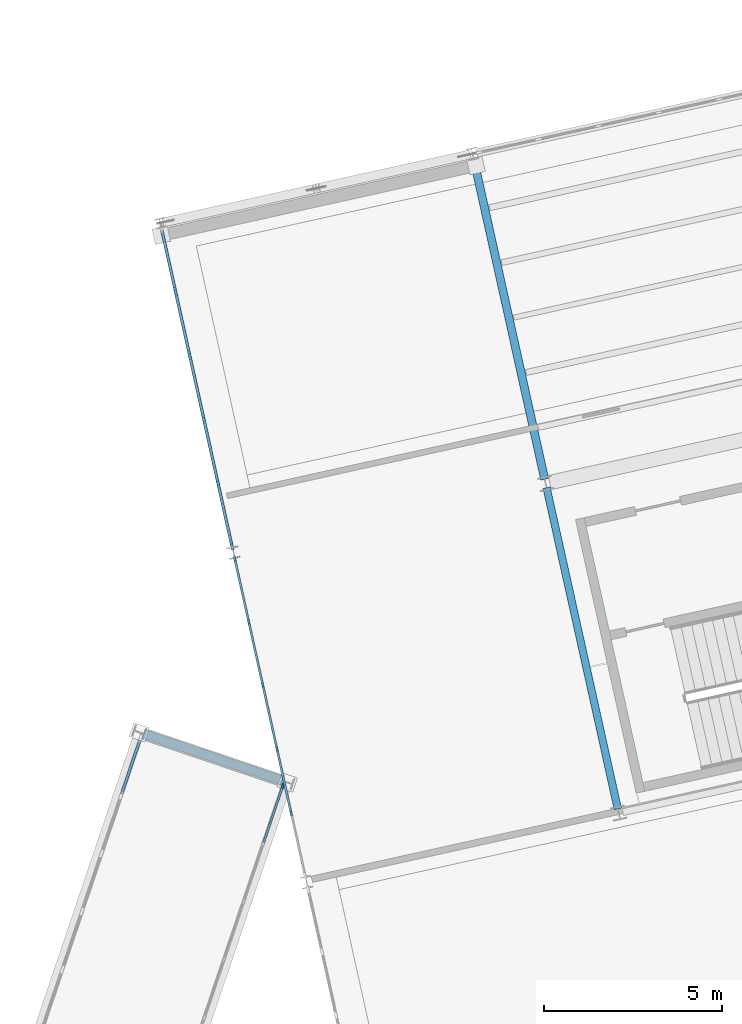
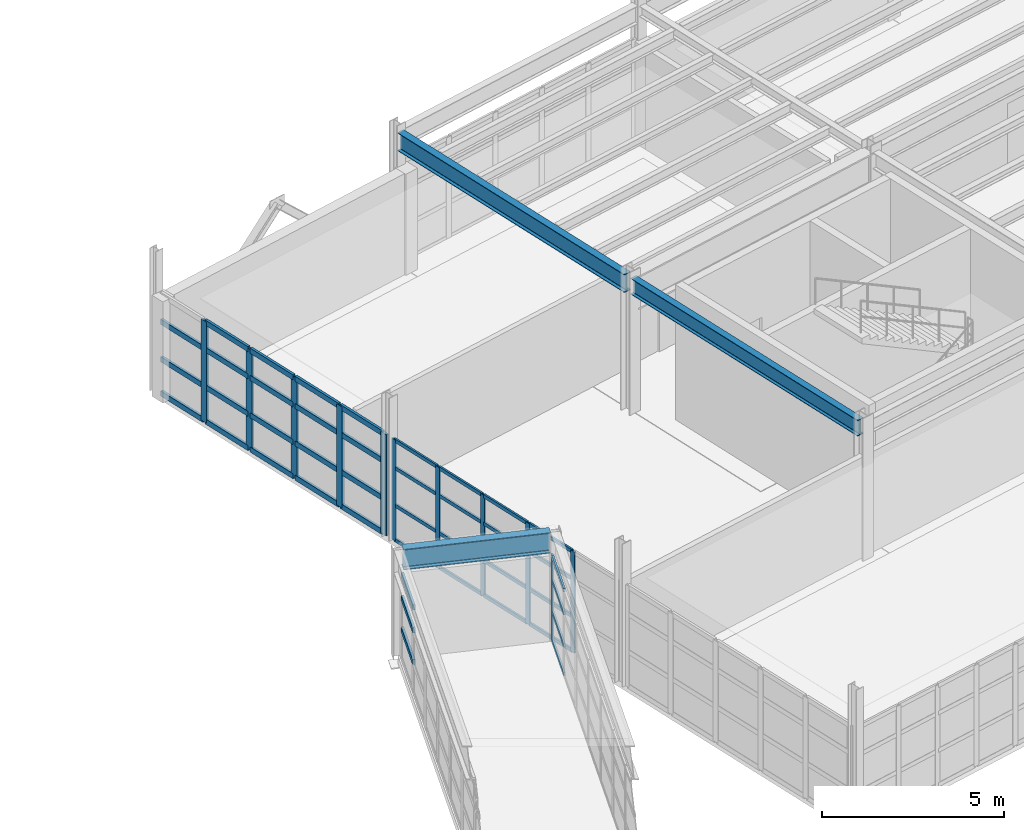
# One storey, part 53 of 102: 53 members, 3 beams, 4 elements without a shape of their own.
"""IFC4 building model written with IfcOpenShell, lengths in metres."""

import ifcopenshell
import ifcopenshell.guid

model = None  # the IFC model being written
_history = None  # IfcOwnerHistory: only IFC2X3 demands one
_inside = {}  # id of a spatial element -> (the spatial element, [elements in it])
_under = {}  # id of a project, library or spatial element -> (it, [spatial elements below it])
_declared = {}  # id of a project -> (the project, [libraries it declares])
_typed = {}  # id of a type object -> (the type object, [elements of that type])
_made_of = {}  # id of a material, layer set ... -> (it, [elements and type objects made of it])


def new_model(schema):
    """Start an empty IFC model of exactly this schema.

    Asked for "IFC4X3", IfcOpenShell would pick the latest addendum, in which some entities
    have other attributes; the version numbers below select the first issue.
    IFC2X3 requires an IfcOwnerHistory on every rooted entity: one is made here for all.
    """
    global model, _history
    if schema == "IFC4X3":
        model = ifcopenshell.file(schema_version=(4, 3, 0, 0))
    else:
        model = ifcopenshell.file(schema=schema)
    _inside.clear()
    _under.clear()
    _declared.clear()
    _typed.clear()
    _made_of.clear()
    _history = None
    if model.schema == "IFC2X3":
        org = make("IfcOrganization", Name="unknown")
        user = make(
            "IfcPersonAndOrganization",
            ThePerson=make("IfcPerson", FamilyName="unknown"),
            TheOrganization=org,
        )
        app = make(
            "IfcApplication",
            ApplicationDeveloper=org,
            Version="unknown",
            ApplicationFullName="unknown",
            ApplicationIdentifier="unknown",
        )
        _history = make(
            "IfcOwnerHistory",
            OwningUser=user,
            OwningApplication=app,
            ChangeAction="ADDED",
            CreationDate=0,
        )
    return model


def make(cls, **values):
    """One entity of the class cls with the attributes given. An attribute that is None is left unset."""
    return model.create_entity(
        cls, **{name: value for name, value in values.items() if value is not None}
    )


def rooted(cls, **values):
    """An entity with a GlobalId (a new one), such as an element, a storey or a relation."""
    return make(cls, GlobalId=ifcopenshell.guid.new(), OwnerHistory=_history, **values)


def si_unit(unit_type, name, prefix=None):
    """IfcSIUnit, for example si_unit("LENGTHUNIT", "METRE", prefix="MILLI")."""
    return make("IfcSIUnit", UnitType=unit_type, Prefix=prefix, Name=name)


def assignment(units):
    """IfcUnitAssignment: the units of a project."""
    return None if units is None else make("IfcUnitAssignment", Units=units)


def point(xyz):
    """IfcCartesianPoint."""
    return None if xyz is None else make("IfcCartesianPoint", Coordinates=xyz)


def direction(xyz):
    """IfcDirection."""
    return None if xyz is None else make("IfcDirection", DirectionRatios=xyz)


def frame(location, z_axis=None, x_axis=None):
    """IfcAxis2Placement3D, a coordinate frame: its origin and axes. An axis left out is left unset."""
    return make(
        "IfcAxis2Placement3D",
        Location=point(location),
        Axis=direction(z_axis),
        RefDirection=direction(x_axis),
    )


def frame_2d(location, x_axis=None):
    """IfcAxis2Placement2D, a coordinate frame in the plane: its origin and x axis."""
    return make(
        "IfcAxis2Placement2D", Location=point(location), RefDirection=direction(x_axis)
    )


def origin():
    """The frame at (0, 0, 0) with its axes left unset."""
    return frame((0.0, 0.0, 0.0))


def origin_2d():
    """The frame at (0, 0) in the plane with its x axis left unset."""
    return frame_2d((0.0, 0.0))


def place(relative_to, where):
    """IfcLocalPlacement: puts the frame where relative to a parent placement (None: the world)."""
    return make(
        "IfcLocalPlacement", PlacementRelTo=relative_to, RelativePlacement=where
    )


def context(
    kind, dimensions, precision=None, world=None, true_north=None, identifier=None
):
    """IfcGeometricRepresentationContext, for example the 3D "Model" context."""
    return make(
        "IfcGeometricRepresentationContext",
        ContextIdentifier=identifier,
        ContextType=kind,
        CoordinateSpaceDimension=dimensions,
        Precision=precision,
        WorldCoordinateSystem=world,
        TrueNorth=true_north,
    )


def subcontext(parent, identifier, kind, view, scale=None):
    """IfcGeometricRepresentationSubContext, for example "Body" below "Model"."""
    return make(
        "IfcGeometricRepresentationSubContext",
        ContextIdentifier=identifier,
        ContextType=kind,
        ParentContext=parent,
        TargetScale=scale,
        TargetView=view,
    )


def project(units=None, contexts=None):
    """IfcProject with its units and contexts."""
    return rooted(
        "IfcProject",
        Name="project",
        RepresentationContexts=contexts,
        UnitsInContext=assignment(units),
    )


def spatial(cls, under=None, at=None, **own):
    """A site, building, storey or space (cls), placed at a placement, below another one or the project."""
    s = rooted(cls, ObjectPlacement=at, **own)
    if under is not None:
        _under.setdefault(under.id(), (under, []))[1].append(s)
    return s


def profile(cls, at=None, kind="AREA", **sizes):
    """A parametric profile (cls). Its sizes go by their IFC names, for example OverallWidth=200.0."""
    return make(cls, ProfileType=kind, Position=at, **sizes)


def rectangle(**sizes):
    """IfcRectangleProfileDef."""
    return profile("IfcRectangleProfileDef", **sizes)


def i_section(**sizes):
    """IfcIShapeProfileDef."""
    return profile("IfcIShapeProfileDef", **sizes)


def extrude(swept, where, along, depth):
    """IfcExtrudedAreaSolid: the profile swept, set in the frame where, extruded along a direction by depth."""
    return make(
        "IfcExtrudedAreaSolid",
        SweptArea=swept,
        Position=where,
        ExtrudedDirection=direction(along),
        Depth=depth,
    )


def shape(context_of_items, identifier, shape_type, items):
    """IfcShapeRepresentation: the items that make up one representation, for example the "Body"."""
    return make(
        "IfcShapeRepresentation",
        ContextOfItems=context_of_items,
        RepresentationIdentifier=identifier,
        RepresentationType=shape_type,
        Items=items,
    )


def material(Name=None, Category=None):
    """IfcMaterial."""
    return make("IfcMaterial", Name=Name, Category=Category)


def layer(
    of_material, thickness, ventilated=None, Name=None, Category=None, Priority=None
):
    """IfcMaterialLayer: one layer of a wall or slab, of a material (None: an air gap)."""
    return make(
        "IfcMaterialLayer",
        Material=of_material,
        LayerThickness=thickness,
        IsVentilated=ventilated,
        Name=Name,
        Category=Category,
        Priority=Priority,
    )


def layer_set(layers, Name=None):
    """IfcMaterialLayerSet."""
    return make("IfcMaterialLayerSet", MaterialLayers=layers, LayerSetName=Name)


def material_profile(
    of_material, cross_section, Name=None, Category=None, Priority=None
):
    """IfcMaterialProfile: a cross section and its material."""
    return make(
        "IfcMaterialProfile",
        Name=Name,
        Material=of_material,
        Profile=cross_section,
        Priority=Priority,
        Category=Category,
    )


def profile_set(profiles, Name=None, composite=None):
    """IfcMaterialProfileSet."""
    return make(
        "IfcMaterialProfileSet",
        Name=Name,
        MaterialProfiles=profiles,
        CompositeProfile=composite,
    )


def made_of(thing, what):
    """Note that an element or type object is made of a material, layer set ...; save() writes the relation."""
    if what is not None:
        _made_of.setdefault(what.id(), (what, []))[1].append(thing)
    return thing


def type_object(cls, material=None, **own):
    """A type object (cls), such as IfcWallType, which elements share."""
    return made_of(rooted(cls, **own), material)


def element(
    cls,
    number,
    at=None,
    inside=None,
    cuts=None,
    type_object=None,
    material=None,
    context=None,
    identifier="Body",
    shape_type=None,
    held_by="IfcProductDefinitionShape",
    body=None,
    shapes=None,
    **own,
):
    """One element of the class cls, such as IfcWall. Its Tag is "e" and its number.

    at: its placement. inside: the storey or other place that contains it. cuts: it is an
    opening in that element (IfcRelVoidsElement). A single representation is given by context,
    identifier, shape_type and body (its items); several are given by shapes. held_by: the class
    of the entity that holds the representations. save() writes the other relations.
    """
    e = rooted(cls, Tag="e%d" % number, ObjectPlacement=at, **own)
    if body is not None:
        shapes = [shape(context, identifier, shape_type, body)]
    if shapes is not None:
        e.Representation = make(held_by, Representations=shapes)
    if inside is not None:
        _inside.setdefault(inside.id(), (inside, []))[1].append(e)
    if cuts is not None:
        rooted(
            "IfcRelVoidsElement", RelatingBuildingElement=cuts, RelatedOpeningElement=e
        )
    if type_object is not None:
        _typed.setdefault(type_object.id(), (type_object, []))[1].append(e)
    return made_of(e, material)


def aggregate(whole, parts):
    """IfcRelAggregates: a whole, such as a stair, and the parts it consists of."""
    return rooted("IfcRelAggregates", RelatingObject=whole, RelatedObjects=parts)


def save(model, path):
    """Write the relations noted so far, then the file.

    IfcRelAggregates (storeys below a building ...), IfcRelContainedInSpatialStructure (elements
    in a storey), IfcRelDefinesByType, IfcRelAssociatesMaterial and IfcRelDeclares: one each for
    every whole, place, type object, material and project.
    """
    for whole, parts in _under.values():
        aggregate(whole, parts)
    for where, things in _inside.values():
        rooted(
            "IfcRelContainedInSpatialStructure",
            RelatedElements=things,
            RelatingStructure=where,
        )
    for kind, things in _typed.values():
        rooted("IfcRelDefinesByType", RelatedObjects=things, RelatingType=kind)
    for what, things in _made_of.values():
        rooted("IfcRelAssociatesMaterial", RelatedObjects=things, RelatingMaterial=what)
    for by, libraries in _declared.values():
        rooted("IfcRelDeclares", RelatingContext=by, RelatedDefinitions=libraries)
    model.write(path)


model = new_model("IFC4")

# Units and contexts
model_context = context("Model", 3, precision=1e-05, world=origin(), true_north=direction((0.0, 1.0)))
body_context = subcontext(model_context, "Body", "Model", "MODEL_VIEW")
ifc_project = project(units=[si_unit("LENGTHUNIT", "METRE"), si_unit("AREAUNIT", "SQUARE_METRE"), si_unit("VOLUMEUNIT", "CUBIC_METRE"), si_unit("PLANEANGLEUNIT", "RADIAN"), si_unit("MASSUNIT", "GRAM", prefix="KILO")], contexts=[model_context])

# Site, building, storey
site_placement = place(None, origin())
site = spatial("IfcSite", under=ifc_project, at=site_placement, CompositionType="ELEMENT")
building_placement = place(site_placement, origin())
building = spatial("IfcBuilding", under=site, at=building_placement, Name="Vireo Bluff Cable Station", CompositionType="ELEMENT")
storey_placement = place(building_placement, frame((0.0, 0.0, 9.60009765625)))
storey = spatial("IfcBuildingStorey", under=building, at=storey_placement, Name="L02", CompositionType="ELEMENT", Elevation=9.60009765625)

# Curtain wall, members
ifc_material_1 = material(Name="Anodized Aluminium 6063-T6", Category="aluminium")
ifc_layer_1 = layer(ifc_material_1, 0.159912109375, Name="Anodized Aluminium 6063-T6")
ifc_layer_set_1 = layer_set([ifc_layer_1], Name="Anodized Aluminium 6063-T6")
curtain_wall_type_1 = type_object("IfcCurtainWallType", Name="CW-STICK-1750", PredefinedType="USERDEFINED", material=ifc_layer_set_1)
curtain_wall_1_placement = place(storey_placement, origin())
curtain_wall_1 = element("IfcCurtainWall", 1, at=curtain_wall_1_placement, inside=storey, type_object=curtain_wall_type_1, Name="V2 L02 west curtain wall CW-054", ObjectType="STICK CURTAIN WALL", PredefinedType="USERDEFINED")
ifc_material_profile_1 = material_profile(ifc_material_1, rectangle(XDim=0.06005859375, YDim=0.159912109375, at=origin_2d()), Name="ALU-M-60X160")
ifc_profile_set_1 = profile_set([ifc_material_profile_1], Name="Anodized Aluminium 6063-T6")
member_type_1 = type_object("IfcMemberType", Name="CWM-03", PredefinedType="MULLION", material=ifc_profile_set_1)
member_1_placement = place(storey_placement, frame((123.510498046875, 85.2294921875, 0.0), z_axis=(0.0, 0.0, 1.0), x_axis=(-0.976295993898, -0.216439673577, 0.0)))
member_1 = element("IfcMember", 2, at=member_1_placement, type_object=member_type_1, Name="CW-054 mullion 2", PredefinedType="MULLION", context=body_context, shape_type="SweptSolid", body=[
    extrude(rectangle(XDim=0.06005859375, YDim=0.159912109375, at=origin_2d()), origin(), (0.0, 0.0, 1.0), 3.39990234375),
])
member_2_placement = place(storey_placement, frame((123.113525390625, 87.01953125, 0.0), z_axis=(0.0, 0.0, 1.0), x_axis=(-0.976295993898, -0.216439673577, 0.0)))
member_2 = element("IfcMember", 3, at=member_2_placement, type_object=member_type_1, Name="CW-054 mullion 3", PredefinedType="MULLION", context=body_context, shape_type="SweptSolid", body=[
    extrude(rectangle(XDim=0.06005859375, YDim=0.159912109375, at=origin_2d()), origin(), (0.0, 0.0, 1.0), 3.39990234375),
])
member_3_placement = place(storey_placement, frame((122.716796875, 88.809814453125, 0.0), z_axis=(0.0, 0.0, 1.0), x_axis=(-0.976295993898, -0.216439673577, 0.0)))
member_3 = element("IfcMember", 4, at=member_3_placement, type_object=member_type_1, Name="CW-054 mullion 4", PredefinedType="MULLION", context=body_context, shape_type="SweptSolid", body=[
    extrude(rectangle(XDim=0.06005859375, YDim=0.159912109375, at=origin_2d()), origin(), (0.0, 0.0, 1.0), 3.39990234375),
])
member_4_placement = place(storey_placement, frame((122.31982421875, 90.599853515625, 0.0), z_axis=(0.0, 0.0, 1.0), x_axis=(-0.976295993898, -0.216439673577, 0.0)))
member_4 = element("IfcMember", 5, at=member_4_placement, type_object=member_type_1, Name="CW-054 mullion 5", PredefinedType="MULLION", context=body_context, shape_type="SweptSolid", body=[
    extrude(rectangle(XDim=0.06005859375, YDim=0.159912109375, at=origin_2d()), origin(), (0.0, 0.0, 1.0), 3.39990234375),
])
member_5_placement = place(storey_placement, frame((121.929443359375, 92.360595703125, 0.0), z_axis=(0.0, 0.0, 1.0), x_axis=(-0.976295993898, -0.216439673577, 0.0)))
member_5 = element("IfcMember", 6, at=member_5_placement, type_object=member_type_1, Name="CW-054 mullion 6", PredefinedType="MULLION", context=body_context, shape_type="SweptSolid", body=[
    extrude(rectangle(XDim=0.06005859375, YDim=0.159912109375, at=origin_2d()), origin(), (0.0, 0.0, 1.0), 3.39990234375),
])

# Curtain wall, member
curtain_wall_2_placement = place(storey_placement, origin())
curtain_wall_2 = element("IfcCurtainWall", 7, at=curtain_wall_2_placement, inside=storey, type_object=curtain_wall_type_1, Name="SKYBR L02 HAUL-DRIVE-3L curtain wall CW-150", ObjectType="STICK CURTAIN WALL", PredefinedType="USERDEFINED")
member_6_placement = place(storey_placement, frame((123.2734375, 85.9716796875, 0.0), z_axis=(0.0, 0.0, 1.0), x_axis=(-0.947297996715, 0.320353719222, 0.0)))
member_6 = element("IfcMember", 8, at=member_6_placement, type_object=member_type_1, Name="CW-150 mullion 8", PredefinedType="MULLION", context=body_context, shape_type="SweptSolid", body=[
    extrude(rectangle(XDim=0.06005859375, YDim=0.159912109375, at=origin_2d()), origin(), (0.0, 0.0, 1.0), 2.8798828125),
])

# Curtain wall, members
ifc_layer_2 = layer(ifc_material_1, 0.159912109375, Name="Anodized Aluminium 6063-T6")
ifc_layer_set_2 = layer_set([ifc_layer_2], Name="Anodized Aluminium 6063-T6")
curtain_wall_type_2 = type_object("IfcCurtainWallType", Name="CW-STICK-1850", PredefinedType="USERDEFINED", material=ifc_layer_set_2)
curtain_wall_3_placement = place(storey_placement, origin())
curtain_wall_3 = element("IfcCurtainWall", 9, at=curtain_wall_3_placement, inside=storey, type_object=curtain_wall_type_2, Name="V2 L02 west curtain wall CW-055", ObjectType="STICK CURTAIN WALL", PredefinedType="USERDEFINED")
ifc_material_profile_2 = material_profile(ifc_material_1, rectangle(XDim=0.080078125, YDim=0.239990234375, at=origin_2d()), Name="ALU-M-80X240")
ifc_profile_set_2 = profile_set([ifc_material_profile_2], Name="Anodized Aluminium 6063-T6")
member_type_2 = type_object("IfcMemberType", Name="CWM-04", PredefinedType="MULLION", material=ifc_profile_set_2)
member_7_placement = place(storey_placement, frame((121.843505859375, 92.748291015625, 0.0), z_axis=(0.0, 0.0, 1.0), x_axis=(-0.976296019658, -0.216439557384, 0.0)))
member_7 = element("IfcMember", 10, at=member_7_placement, type_object=member_type_2, Name="CW-055 mullion 1", PredefinedType="MULLION", context=body_context, shape_type="SweptSolid", body=[
    extrude(rectangle(XDim=0.080078125, YDim=0.239990234375, at=origin_2d()), origin(), (0.0, 0.0, 1.0), 3.39990234375),
])
member_8_placement = place(storey_placement, frame((121.453857421875, 94.506103515625, 0.0), z_axis=(0.0, 0.0, 1.0), x_axis=(-0.976296019658, -0.216439557384, 0.0)))
member_8 = element("IfcMember", 11, at=member_8_placement, type_object=member_type_2, Name="CW-055 mullion 2", PredefinedType="MULLION", context=body_context, shape_type="SweptSolid", body=[
    extrude(rectangle(XDim=0.080078125, YDim=0.239990234375, at=origin_2d()), origin(), (0.0, 0.0, 1.0), 3.39990234375),
])
member_9_placement = place(storey_placement, frame((121.0556640625, 96.302978515625, 0.0), z_axis=(0.0, 0.0, 1.0), x_axis=(-0.976296019658, -0.216439557384, 0.0)))
member_9 = element("IfcMember", 12, at=member_9_placement, type_object=member_type_2, Name="CW-055 mullion 3", PredefinedType="MULLION", context=body_context, shape_type="SweptSolid", body=[
    extrude(rectangle(XDim=0.080078125, YDim=0.239990234375, at=origin_2d()), origin(), (0.0, 0.0, 1.0), 3.39990234375),
])
member_10_placement = place(storey_placement, frame((120.6572265625, 98.099853515625, 0.0), z_axis=(0.0, 0.0, 1.0), x_axis=(-0.976296019658, -0.216439557384, 0.0)))
member_10 = element("IfcMember", 13, at=member_10_placement, type_object=member_type_2, Name="CW-055 mullion 4", PredefinedType="MULLION", context=body_context, shape_type="SweptSolid", body=[
    extrude(rectangle(XDim=0.080078125, YDim=0.239990234375, at=origin_2d()), origin(), (0.0, 0.0, 1.0), 3.39990234375),
])
member_11_placement = place(storey_placement, frame((120.2587890625, 99.896728515625, 0.0), z_axis=(0.0, 0.0, 1.0), x_axis=(-0.976296019658, -0.216439557384, 0.0)))
member_11 = element("IfcMember", 14, at=member_11_placement, type_object=member_type_2, Name="CW-055 mullion 5", PredefinedType="MULLION", context=body_context, shape_type="SweptSolid", body=[
    extrude(rectangle(XDim=0.080078125, YDim=0.239990234375, at=origin_2d()), origin(), (0.0, 0.0, 1.0), 3.39990234375),
])

# Member
ifc_material_profile_3 = material_profile(ifc_material_1, rectangle(XDim=0.06005859375, YDim=0.1201171875, at=origin_2d()), Name="ALU-T-60X120")
ifc_profile_set_3 = profile_set([ifc_material_profile_3], Name="Anodized Aluminium 6063-T6")
member_type_3 = type_object("IfcMemberType", Name="CWT-03", PredefinedType="USERDEFINED", material=ifc_profile_set_3)
member_12_placement = place(storey_placement, frame((123.50390625, 85.2587890625, 0.02978515625), z_axis=(-0.21640568884, 0.976303527515, 0.0), x_axis=(-0.976303527515, -0.21640568884, 0.0)))
member_12 = element("IfcMember", 15, at=member_12_placement, type_object=member_type_3, Name="CW-054 transom 2.1", ObjectType="TRANSOM", PredefinedType="USERDEFINED", context=body_context, shape_type="SweptSolid", body=[
    extrude(rectangle(XDim=0.06005859375, YDim=0.1201171875, at=origin_2d()), origin(), (0.0, 0.0, 1.0), 1.7734375),
])

member_13_placement = place(storey_placement, frame((123.50390625, 85.2587890625, 1.18994140625), z_axis=(-0.21640568884, 0.976303527515, 0.0), x_axis=(-0.976303527515, -0.21640568884, 0.0)))
member_13 = element("IfcMember", 16, at=member_13_placement, type_object=member_type_3, Name="CW-054 transom 2.2", ObjectType="TRANSOM", PredefinedType="USERDEFINED", context=body_context, shape_type="SweptSolid", body=[
    extrude(rectangle(XDim=0.06005859375, YDim=0.1201171875, at=origin_2d()), origin(), (0.0, 0.0, 1.0), 1.7734375),
])

member_14_placement = place(storey_placement, frame((123.50390625, 85.2587890625, 2.447998046875), z_axis=(-0.21640568884, 0.976303527515, 0.0), x_axis=(-0.976303527515, -0.21640568884, 0.0)))
member_14 = element("IfcMember", 17, at=member_14_placement, type_object=member_type_3, Name="CW-054 transom 2.3", ObjectType="TRANSOM", PredefinedType="USERDEFINED", context=body_context, shape_type="SweptSolid", body=[
    extrude(rectangle(XDim=0.06005859375, YDim=0.1201171875, at=origin_2d()), origin(), (0.0, 0.0, 1.0), 1.7734375),
])

member_15_placement = place(storey_placement, frame((123.50390625, 85.2587890625, 3.369873046875), z_axis=(-0.21640568884, 0.976303527515, 0.0), x_axis=(-0.976303527515, -0.21640568884, 0.0)))
member_15 = element("IfcMember", 18, at=member_15_placement, type_object=member_type_3, Name="CW-054 transom 2.4", ObjectType="TRANSOM", PredefinedType="USERDEFINED", context=body_context, shape_type="SweptSolid", body=[
    extrude(rectangle(XDim=0.06005859375, YDim=0.1201171875, at=origin_2d()), origin(), (0.0, 0.0, 1.0), 1.7734375),
])

member_16_placement = place(storey_placement, frame((123.107177734375, 87.048828125, 0.02978515625), z_axis=(-0.216507801564, 0.976280887789, 0.0), x_axis=(-0.976280887789, -0.216507801564, 0.0)))
member_16 = element("IfcMember", 19, at=member_16_placement, type_object=member_type_3, Name="CW-054 transom 3.1", ObjectType="TRANSOM", PredefinedType="USERDEFINED", context=body_context, shape_type="SweptSolid", body=[
    extrude(rectangle(XDim=0.06005859375, YDim=0.1201171875, at=origin_2d()), origin(), (0.0, 0.0, 1.0), 1.773681640625),
])

member_17_placement = place(storey_placement, frame((123.107177734375, 87.048828125, 1.18994140625), z_axis=(-0.216507801564, 0.976280887789, 0.0), x_axis=(-0.976280887789, -0.216507801564, 0.0)))
member_17 = element("IfcMember", 20, at=member_17_placement, type_object=member_type_3, Name="CW-054 transom 3.2", ObjectType="TRANSOM", PredefinedType="USERDEFINED", context=body_context, shape_type="SweptSolid", body=[
    extrude(rectangle(XDim=0.06005859375, YDim=0.1201171875, at=origin_2d()), origin(), (0.0, 0.0, 1.0), 1.773681640625),
])

member_18_placement = place(storey_placement, frame((123.107177734375, 87.048828125, 2.447998046875), z_axis=(-0.216507801564, 0.976280887789, 0.0), x_axis=(-0.976280887789, -0.216507801564, 0.0)))
member_18 = element("IfcMember", 21, at=member_18_placement, type_object=member_type_3, Name="CW-054 transom 3.3", ObjectType="TRANSOM", PredefinedType="USERDEFINED", context=body_context, shape_type="SweptSolid", body=[
    extrude(rectangle(XDim=0.06005859375, YDim=0.1201171875, at=origin_2d()), origin(), (0.0, 0.0, 1.0), 1.773681640625),
])

member_19_placement = place(storey_placement, frame((123.107177734375, 87.048828125, 3.369873046875), z_axis=(-0.216507801564, 0.976280887789, 0.0), x_axis=(-0.976280887789, -0.216507801564, 0.0)))
member_19 = element("IfcMember", 22, at=member_19_placement, type_object=member_type_3, Name="CW-054 transom 3.4", ObjectType="TRANSOM", PredefinedType="USERDEFINED", context=body_context, shape_type="SweptSolid", body=[
    extrude(rectangle(XDim=0.06005859375, YDim=0.1201171875, at=origin_2d()), origin(), (0.0, 0.0, 1.0), 1.773681640625),
])

member_20_placement = place(storey_placement, frame((122.710205078125, 88.839111328125, 0.02978515625), z_axis=(-0.21640568884, 0.976303527515, 0.0), x_axis=(-0.976303527515, -0.21640568884, 0.0)))
member_20 = element("IfcMember", 23, at=member_20_placement, type_object=member_type_3, Name="CW-054 transom 4.1", ObjectType="TRANSOM", PredefinedType="USERDEFINED", context=body_context, shape_type="SweptSolid", body=[
    extrude(rectangle(XDim=0.06005859375, YDim=0.1201171875, at=origin_2d()), origin(), (0.0, 0.0, 1.0), 1.7734375),
])

member_21_placement = place(storey_placement, frame((122.710205078125, 88.839111328125, 1.18994140625), z_axis=(-0.21640568884, 0.976303527515, 0.0), x_axis=(-0.976303527515, -0.21640568884, 0.0)))
member_21 = element("IfcMember", 24, at=member_21_placement, type_object=member_type_3, Name="CW-054 transom 4.2", ObjectType="TRANSOM", PredefinedType="USERDEFINED", context=body_context, shape_type="SweptSolid", body=[
    extrude(rectangle(XDim=0.06005859375, YDim=0.1201171875, at=origin_2d()), origin(), (0.0, 0.0, 1.0), 1.7734375),
])

member_22_placement = place(storey_placement, frame((122.710205078125, 88.839111328125, 2.447998046875), z_axis=(-0.21640568884, 0.976303527515, 0.0), x_axis=(-0.976303527515, -0.21640568884, 0.0)))
member_22 = element("IfcMember", 25, at=member_22_placement, type_object=member_type_3, Name="CW-054 transom 4.3", ObjectType="TRANSOM", PredefinedType="USERDEFINED", context=body_context, shape_type="SweptSolid", body=[
    extrude(rectangle(XDim=0.06005859375, YDim=0.1201171875, at=origin_2d()), origin(), (0.0, 0.0, 1.0), 1.7734375),
])

member_23_placement = place(storey_placement, frame((122.710205078125, 88.839111328125, 3.369873046875), z_axis=(-0.21640568884, 0.976303527515, 0.0), x_axis=(-0.976303527515, -0.21640568884, 0.0)))
member_23 = element("IfcMember", 26, at=member_23_placement, type_object=member_type_3, Name="CW-054 transom 4.4", ObjectType="TRANSOM", PredefinedType="USERDEFINED", context=body_context, shape_type="SweptSolid", body=[
    extrude(rectangle(XDim=0.06005859375, YDim=0.1201171875, at=origin_2d()), origin(), (0.0, 0.0, 1.0), 1.7734375),
])

member_24_placement = place(storey_placement, frame((122.3134765625, 90.629150390625, 0.02978515625), z_axis=(-0.2164560441, 0.976292364496, 0.0), x_axis=(-0.976292364496, -0.2164560441, 0.0)))
member_24 = element("IfcMember", 27, at=member_24_placement, type_object=member_type_3, Name="CW-054 transom 5.1", ObjectType="TRANSOM", PredefinedType="USERDEFINED", context=body_context, shape_type="SweptSolid", body=[
    extrude(rectangle(XDim=0.06005859375, YDim=0.1201171875, at=origin_2d()), origin(), (0.0, 0.0, 1.0), 1.74365234375),
])

member_25_placement = place(storey_placement, frame((122.3134765625, 90.629150390625, 1.18994140625), z_axis=(-0.2164560441, 0.976292364496, 0.0), x_axis=(-0.976292364496, -0.2164560441, 0.0)))
member_25 = element("IfcMember", 28, at=member_25_placement, type_object=member_type_3, Name="CW-054 transom 5.2", ObjectType="TRANSOM", PredefinedType="USERDEFINED", context=body_context, shape_type="SweptSolid", body=[
    extrude(rectangle(XDim=0.06005859375, YDim=0.1201171875, at=origin_2d()), origin(), (0.0, 0.0, 1.0), 1.74365234375),
])

member_26_placement = place(storey_placement, frame((122.3134765625, 90.629150390625, 2.447998046875), z_axis=(-0.2164560441, 0.976292364496, 0.0), x_axis=(-0.976292364496, -0.2164560441, 0.0)))
member_26 = element("IfcMember", 29, at=member_26_placement, type_object=member_type_3, Name="CW-054 transom 5.3", ObjectType="TRANSOM", PredefinedType="USERDEFINED", context=body_context, shape_type="SweptSolid", body=[
    extrude(rectangle(XDim=0.06005859375, YDim=0.1201171875, at=origin_2d()), origin(), (0.0, 0.0, 1.0), 1.74365234375),
])

member_27_placement = place(storey_placement, frame((122.3134765625, 90.629150390625, 3.369873046875), z_axis=(-0.2164560441, 0.976292364496, 0.0), x_axis=(-0.976292364496, -0.2164560441, 0.0)))
member_27 = element("IfcMember", 30, at=member_27_placement, type_object=member_type_3, Name="CW-054 transom 5.4", ObjectType="TRANSOM", PredefinedType="USERDEFINED", context=body_context, shape_type="SweptSolid", body=[
    extrude(rectangle(XDim=0.06005859375, YDim=0.1201171875, at=origin_2d()), origin(), (0.0, 0.0, 1.0), 1.74365234375),
])

aggregate(curtain_wall_1, [member_1, member_2, member_3, member_4, member_5, member_12, member_13, member_14, member_15, member_16, member_17, member_18, member_19, member_20, member_21, member_22, member_23, member_24, member_25, member_26, member_27])

member_28_placement = place(storey_placement, frame((122.739990234375, 84.394287109375, 0.02978515625), z_axis=(0.320256106825, 0.947331001309, 0.0), x_axis=(-0.947331001309, 0.320256106825, 0.0)))
member_28 = element("IfcMember", 31, at=member_28_placement, type_object=member_type_3, Name="CW-150 transom 7.1", ObjectType="TRANSOM", PredefinedType="USERDEFINED", context=body_context, shape_type="SweptSolid", body=[
    extrude(rectangle(XDim=0.06005859375, YDim=0.1201171875, at=origin_2d()), origin(), (0.0, 0.0, 1.0), 1.63525390625),
])

member_29_placement = place(storey_placement, frame((122.739990234375, 84.394287109375, 1.0078125), z_axis=(0.320256106825, 0.947331001309, 0.0), x_axis=(-0.947331001309, 0.320256106825, 0.0)))
member_29 = element("IfcMember", 32, at=member_29_placement, type_object=member_type_3, Name="CW-150 transom 7.2", ObjectType="TRANSOM", PredefinedType="USERDEFINED", context=body_context, shape_type="SweptSolid", body=[
    extrude(rectangle(XDim=0.06005859375, YDim=0.1201171875, at=origin_2d()), origin(), (0.0, 0.0, 1.0), 1.63525390625),
])

member_30_placement = place(storey_placement, frame((122.739990234375, 84.394287109375, 2.073486328125), z_axis=(0.320256106825, 0.947331001309, 0.0), x_axis=(-0.947331001309, 0.320256106825, 0.0)))
member_30 = element("IfcMember", 33, at=member_30_placement, type_object=member_type_3, Name="CW-150 transom 7.3", ObjectType="TRANSOM", PredefinedType="USERDEFINED", context=body_context, shape_type="SweptSolid", body=[
    extrude(rectangle(XDim=0.06005859375, YDim=0.1201171875, at=origin_2d()), origin(), (0.0, 0.0, 1.0), 1.63525390625),
])

member_31_placement = place(storey_placement, frame((122.739990234375, 84.394287109375, 2.849853515625), z_axis=(0.320256106825, 0.947331001309, 0.0), x_axis=(-0.947331001309, 0.320256106825, 0.0)))
member_31 = element("IfcMember", 34, at=member_31_placement, type_object=member_type_3, Name="CW-150 transom 7.4", ObjectType="TRANSOM", PredefinedType="USERDEFINED", context=body_context, shape_type="SweptSolid", body=[
    extrude(rectangle(XDim=0.06005859375, YDim=0.1201171875, at=origin_2d()), origin(), (0.0, 0.0, 1.0), 1.63525390625),
])

aggregate(curtain_wall_2, [member_6, member_28, member_29, member_30, member_31])

ifc_material_profile_4 = material_profile(ifc_material_1, rectangle(XDim=0.080078125, YDim=0.175048828125, at=origin_2d()), Name="ALU-T-80X175")
ifc_profile_set_4 = profile_set([ifc_material_profile_4], Name="Anodized Aluminium 6063-T6")
member_type_4 = type_object("IfcMemberType", Name="CWT-04", PredefinedType="USERDEFINED", material=ifc_profile_set_4)
member_32_placement = place(storey_placement, frame((121.8349609375, 92.787353515625, 0.039794921875), z_axis=(-0.216404544516, 0.976303781163, 0.0), x_axis=(-0.976303781163, -0.216404544516, 0.0)))
member_32 = element("IfcMember", 35, at=member_32_placement, type_object=member_type_4, Name="CW-055 transom 1.1", ObjectType="TRANSOM", PredefinedType="USERDEFINED", context=body_context, shape_type="SweptSolid", body=[
    extrude(rectangle(XDim=0.080078125, YDim=0.175048828125, at=origin_2d()), origin(), (0.0, 0.0, 1.0), 1.720458984375),
])

member_33_placement = place(storey_placement, frame((121.8349609375, 92.787353515625, 1.18994140625), z_axis=(-0.216404544516, 0.976303781163, 0.0), x_axis=(-0.976303781163, -0.216404544516, 0.0)))
member_33 = element("IfcMember", 36, at=member_33_placement, type_object=member_type_4, Name="CW-055 transom 1.2", ObjectType="TRANSOM", PredefinedType="USERDEFINED", context=body_context, shape_type="SweptSolid", body=[
    extrude(rectangle(XDim=0.080078125, YDim=0.175048828125, at=origin_2d()), origin(), (0.0, 0.0, 1.0), 1.720458984375),
])

member_34_placement = place(storey_placement, frame((121.8349609375, 92.787353515625, 2.447998046875), z_axis=(-0.216404544516, 0.976303781163, 0.0), x_axis=(-0.976303781163, -0.216404544516, 0.0)))
member_34 = element("IfcMember", 37, at=member_34_placement, type_object=member_type_4, Name="CW-055 transom 1.3", ObjectType="TRANSOM", PredefinedType="USERDEFINED", context=body_context, shape_type="SweptSolid", body=[
    extrude(rectangle(XDim=0.080078125, YDim=0.175048828125, at=origin_2d()), origin(), (0.0, 0.0, 1.0), 1.720458984375),
])

member_35_placement = place(storey_placement, frame((121.8349609375, 92.787353515625, 3.35986328125), z_axis=(-0.216404544516, 0.976303781163, 0.0), x_axis=(-0.976303781163, -0.216404544516, 0.0)))
member_35 = element("IfcMember", 38, at=member_35_placement, type_object=member_type_4, Name="CW-055 transom 1.4", ObjectType="TRANSOM", PredefinedType="USERDEFINED", context=body_context, shape_type="SweptSolid", body=[
    extrude(rectangle(XDim=0.080078125, YDim=0.175048828125, at=origin_2d()), origin(), (0.0, 0.0, 1.0), 1.720458984375),
])

member_36_placement = place(storey_placement, frame((121.4453125, 94.545166015625, 0.039794921875), z_axis=(-0.216475246431, 0.976288106904, 0.0), x_axis=(-0.976288106904, -0.216475246431, 0.0)))
member_36 = element("IfcMember", 39, at=member_36_placement, type_object=member_type_4, Name="CW-055 transom 2.1", ObjectType="TRANSOM", PredefinedType="USERDEFINED", context=body_context, shape_type="SweptSolid", body=[
    extrude(rectangle(XDim=0.080078125, YDim=0.175048828125, at=origin_2d()), origin(), (0.0, 0.0, 1.0), 1.760498046875),
])

member_37_placement = place(storey_placement, frame((121.4453125, 94.545166015625, 1.18994140625), z_axis=(-0.216475246431, 0.976288106904, 0.0), x_axis=(-0.976288106904, -0.216475246431, 0.0)))
member_37 = element("IfcMember", 40, at=member_37_placement, type_object=member_type_4, Name="CW-055 transom 2.2", ObjectType="TRANSOM", PredefinedType="USERDEFINED", context=body_context, shape_type="SweptSolid", body=[
    extrude(rectangle(XDim=0.080078125, YDim=0.175048828125, at=origin_2d()), origin(), (0.0, 0.0, 1.0), 1.760498046875),
])

member_38_placement = place(storey_placement, frame((121.4453125, 94.545166015625, 2.447998046875), z_axis=(-0.216475246431, 0.976288106904, 0.0), x_axis=(-0.976288106904, -0.216475246431, 0.0)))
member_38 = element("IfcMember", 41, at=member_38_placement, type_object=member_type_4, Name="CW-055 transom 2.3", ObjectType="TRANSOM", PredefinedType="USERDEFINED", context=body_context, shape_type="SweptSolid", body=[
    extrude(rectangle(XDim=0.080078125, YDim=0.175048828125, at=origin_2d()), origin(), (0.0, 0.0, 1.0), 1.760498046875),
])

member_39_placement = place(storey_placement, frame((121.4453125, 94.545166015625, 3.35986328125), z_axis=(-0.216475246431, 0.976288106904, 0.0), x_axis=(-0.976288106904, -0.216475246431, 0.0)))
member_39 = element("IfcMember", 42, at=member_39_placement, type_object=member_type_4, Name="CW-055 transom 2.4", ObjectType="TRANSOM", PredefinedType="USERDEFINED", context=body_context, shape_type="SweptSolid", body=[
    extrude(rectangle(XDim=0.080078125, YDim=0.175048828125, at=origin_2d()), origin(), (0.0, 0.0, 1.0), 1.760498046875),
])

member_40_placement = place(storey_placement, frame((121.046875, 96.342041015625, 0.039794921875), z_axis=(-0.216475246431, 0.976288106904, 0.0), x_axis=(-0.976288106904, -0.216475246431, 0.0)))
member_40 = element("IfcMember", 43, at=member_40_placement, type_object=member_type_4, Name="CW-055 transom 3.1", ObjectType="TRANSOM", PredefinedType="USERDEFINED", context=body_context, shape_type="SweptSolid", body=[
    extrude(rectangle(XDim=0.080078125, YDim=0.175048828125, at=origin_2d()), origin(), (0.0, 0.0, 1.0), 1.760498046875),
])

member_41_placement = place(storey_placement, frame((121.046875, 96.342041015625, 1.18994140625), z_axis=(-0.216475246431, 0.976288106904, 0.0), x_axis=(-0.976288106904, -0.216475246431, 0.0)))
member_41 = element("IfcMember", 44, at=member_41_placement, type_object=member_type_4, Name="CW-055 transom 3.2", ObjectType="TRANSOM", PredefinedType="USERDEFINED", context=body_context, shape_type="SweptSolid", body=[
    extrude(rectangle(XDim=0.080078125, YDim=0.175048828125, at=origin_2d()), origin(), (0.0, 0.0, 1.0), 1.760498046875),
])

member_42_placement = place(storey_placement, frame((121.046875, 96.342041015625, 2.447998046875), z_axis=(-0.216475246431, 0.976288106904, 0.0), x_axis=(-0.976288106904, -0.216475246431, 0.0)))
member_42 = element("IfcMember", 45, at=member_42_placement, type_object=member_type_4, Name="CW-055 transom 3.3", ObjectType="TRANSOM", PredefinedType="USERDEFINED", context=body_context, shape_type="SweptSolid", body=[
    extrude(rectangle(XDim=0.080078125, YDim=0.175048828125, at=origin_2d()), origin(), (0.0, 0.0, 1.0), 1.760498046875),
])

member_43_placement = place(storey_placement, frame((121.046875, 96.342041015625, 3.35986328125), z_axis=(-0.216475246431, 0.976288106904, 0.0), x_axis=(-0.976288106904, -0.216475246431, 0.0)))
member_43 = element("IfcMember", 46, at=member_43_placement, type_object=member_type_4, Name="CW-055 transom 3.4", ObjectType="TRANSOM", PredefinedType="USERDEFINED", context=body_context, shape_type="SweptSolid", body=[
    extrude(rectangle(XDim=0.080078125, YDim=0.175048828125, at=origin_2d()), origin(), (0.0, 0.0, 1.0), 1.760498046875),
])

member_44_placement = place(storey_placement, frame((120.6484375, 98.138916015625, 0.039794921875), z_axis=(-0.216343061823, 0.9763174072, 0.0), x_axis=(-0.9763174072, -0.216343061823, 0.0)))
member_44 = element("IfcMember", 47, at=member_44_placement, type_object=member_type_4, Name="CW-055 transom 4.1", ObjectType="TRANSOM", PredefinedType="USERDEFINED", context=body_context, shape_type="SweptSolid", body=[
    extrude(rectangle(XDim=0.080078125, YDim=0.175048828125, at=origin_2d()), origin(), (0.0, 0.0, 1.0), 1.760498046875),
])

member_45_placement = place(storey_placement, frame((120.6484375, 98.138916015625, 1.18994140625), z_axis=(-0.216343061823, 0.9763174072, 0.0), x_axis=(-0.9763174072, -0.216343061823, 0.0)))
member_45 = element("IfcMember", 48, at=member_45_placement, type_object=member_type_4, Name="CW-055 transom 4.2", ObjectType="TRANSOM", PredefinedType="USERDEFINED", context=body_context, shape_type="SweptSolid", body=[
    extrude(rectangle(XDim=0.080078125, YDim=0.175048828125, at=origin_2d()), origin(), (0.0, 0.0, 1.0), 1.760498046875),
])

member_46_placement = place(storey_placement, frame((120.6484375, 98.138916015625, 2.447998046875), z_axis=(-0.216343061823, 0.9763174072, 0.0), x_axis=(-0.9763174072, -0.216343061823, 0.0)))
member_46 = element("IfcMember", 49, at=member_46_placement, type_object=member_type_4, Name="CW-055 transom 4.3", ObjectType="TRANSOM", PredefinedType="USERDEFINED", context=body_context, shape_type="SweptSolid", body=[
    extrude(rectangle(XDim=0.080078125, YDim=0.175048828125, at=origin_2d()), origin(), (0.0, 0.0, 1.0), 1.760498046875),
])

member_47_placement = place(storey_placement, frame((120.6484375, 98.138916015625, 3.35986328125), z_axis=(-0.216343061823, 0.9763174072, 0.0), x_axis=(-0.9763174072, -0.216343061823, 0.0)))
member_47 = element("IfcMember", 50, at=member_47_placement, type_object=member_type_4, Name="CW-055 transom 4.4", ObjectType="TRANSOM", PredefinedType="USERDEFINED", context=body_context, shape_type="SweptSolid", body=[
    extrude(rectangle(XDim=0.080078125, YDim=0.175048828125, at=origin_2d()), origin(), (0.0, 0.0, 1.0), 1.760498046875),
])

member_48_placement = place(storey_placement, frame((120.250244140625, 99.935791015625, 0.039794921875), z_axis=(-0.216539797379, 0.976273791593, 0.0), x_axis=(-0.976273791593, -0.216539797379, 0.0)))
member_48 = element("IfcMember", 51, at=member_48_placement, type_object=member_type_4, Name="CW-055 transom 5.1", ObjectType="TRANSOM", PredefinedType="USERDEFINED", context=body_context, shape_type="SweptSolid", body=[
    extrude(rectangle(XDim=0.080078125, YDim=0.175048828125, at=origin_2d()), origin(), (0.0, 0.0, 1.0), 1.720458984375),
])

member_49_placement = place(storey_placement, frame((120.250244140625, 99.935791015625, 1.18994140625), z_axis=(-0.216539797379, 0.976273791593, 0.0), x_axis=(-0.976273791593, -0.216539797379, 0.0)))
member_49 = element("IfcMember", 52, at=member_49_placement, type_object=member_type_4, Name="CW-055 transom 5.2", ObjectType="TRANSOM", PredefinedType="USERDEFINED", context=body_context, shape_type="SweptSolid", body=[
    extrude(rectangle(XDim=0.080078125, YDim=0.175048828125, at=origin_2d()), origin(), (0.0, 0.0, 1.0), 1.720458984375),
])

member_50_placement = place(storey_placement, frame((120.250244140625, 99.935791015625, 2.447998046875), z_axis=(-0.216539797379, 0.976273791593, 0.0), x_axis=(-0.976273791593, -0.216539797379, 0.0)))
member_50 = element("IfcMember", 53, at=member_50_placement, type_object=member_type_4, Name="CW-055 transom 5.3", ObjectType="TRANSOM", PredefinedType="USERDEFINED", context=body_context, shape_type="SweptSolid", body=[
    extrude(rectangle(XDim=0.080078125, YDim=0.175048828125, at=origin_2d()), origin(), (0.0, 0.0, 1.0), 1.720458984375),
])

aggregate(curtain_wall_3, [member_7, member_8, member_9, member_10, member_11, member_32, member_33, member_34, member_35, member_36, member_37, member_38, member_39, member_40, member_41, member_42, member_43, member_44, member_45, member_46, member_47, member_48, member_49, member_50])

# Curtain wall, members
curtain_wall_4_placement = place(storey_placement, origin())
curtain_wall_4 = element("IfcCurtainWall", 54, at=curtain_wall_4_placement, inside=storey, type_object=curtain_wall_type_2, Name="SKYBR L02 HAUL-DRIVE-3R curtain wall CW-151", ObjectType="STICK CURTAIN WALL", PredefinedType="USERDEFINED")
member_51_placement = place(storey_placement, frame((118.74169921875, 85.757080078125, 1.0078125), z_axis=(0.320331618583, 0.94730547034, 0.0), x_axis=(-0.94730547034, 0.320331618583, 0.0)))
member_51 = element("IfcMember", 55, at=member_51_placement, type_object=member_type_4, Name="CW-151 transom 7.2", ObjectType="TRANSOM", PredefinedType="USERDEFINED", context=body_context, shape_type="SweptSolid", body=[
    extrude(rectangle(XDim=0.080078125, YDim=0.175048828125, at=origin_2d()), origin(), (0.0, 0.0, 1.0), 1.60498046875),
])
member_52_placement = place(storey_placement, frame((118.74169921875, 85.757080078125, 2.073486328125), z_axis=(0.320331618583, 0.94730547034, 0.0), x_axis=(-0.94730547034, 0.320331618583, 0.0)))
member_52 = element("IfcMember", 56, at=member_52_placement, type_object=member_type_4, Name="CW-151 transom 7.3", ObjectType="TRANSOM", PredefinedType="USERDEFINED", context=body_context, shape_type="SweptSolid", body=[
    extrude(rectangle(XDim=0.080078125, YDim=0.175048828125, at=origin_2d()), origin(), (0.0, 0.0, 1.0), 1.60498046875),
])
member_53_placement = place(storey_placement, frame((118.74169921875, 85.757080078125, 2.83984375), z_axis=(0.320331618583, 0.94730547034, 0.0), x_axis=(-0.94730547034, 0.320331618583, 0.0)))
member_53 = element("IfcMember", 57, at=member_53_placement, type_object=member_type_4, Name="CW-151 transom 7.4", ObjectType="TRANSOM", PredefinedType="USERDEFINED", context=body_context, shape_type="SweptSolid", body=[
    extrude(rectangle(XDim=0.080078125, YDim=0.175048828125, at=origin_2d()), origin(), (0.0, 0.0, 1.0), 1.60498046875),
])
aggregate(curtain_wall_4, [member_51, member_52, member_53])

# Beams
ifc_material_2 = material(Name="Steel ASTM A992 Gr. 50", Category="steel")
ifc_material_profile_5 = material_profile(ifc_material_2, i_section(OverallWidth=0.257080078125, OverallDepth=0.693115234375, WebThickness=0.014404296875, FlangeThickness=0.023681640625, FilletRadius=0.014892578125, at=origin_2d()), Name="W27X114")
ifc_profile_set_5 = profile_set([ifc_material_profile_5], Name="Steel ASTM A992 Gr. 50")
beam_type_1 = type_object("IfcBeamType", Name="EXTGIR-W27X114", PredefinedType="USERDEFINED", material=ifc_profile_set_5)
beam_1_placement = place(storey_placement, frame((123.27978515625, 86.1279296875, 3.284912109375), z_axis=(-0.947298947098, 0.320350908892, 0.0), x_axis=(-0.320350908892, -0.947298947098, 0.0)))
element("IfcBeam", 58, at=beam_1_placement, inside=storey, type_object=beam_type_1, Name="HAUL-DRIVE skybridge bent cap 4 L02", ObjectType="GIRDER", PredefinedType="USERDEFINED", context=body_context, shape_type="SweptSolid", body=[
    extrude(i_section(OverallWidth=0.257080078125, OverallDepth=0.693115234375, WebThickness=0.014404296875, FlangeThickness=0.023681640625, FilletRadius=0.014892578125, at=origin_2d()), origin(), (0.0, 0.0, 1.0), 4.135986328125),
])
ifc_material_profile_6 = material_profile(ifc_material_2, i_section(OverallWidth=0.2099609375, OverallDepth=0.535888671875, WebThickness=0.010986328125, FlangeThickness=0.017333984375, FilletRadius=0.012939453125, at=origin_2d()), Name="W21X68")
ifc_profile_set_6 = profile_set([ifc_material_profile_6], Name="Steel ASTM A992 Gr. 50")
beam_type_2 = type_object("IfcBeamType", Name="SPN-W21X68", PredefinedType="SPANDREL", material=ifc_profile_set_6)
beam_2_placement = place(storey_placement, frame((132.70458984375, 85.33984375, 4.27197265625), z_axis=(-0.216455863908, 0.976292404447, 0.0), x_axis=(-0.976292404447, -0.216455863908, 0.0)))
element("IfcBeam", 59, at=beam_2_placement, inside=storey, type_object=beam_type_2, Name="V2 L02 spandrel 533", PredefinedType="SPANDREL", context=body_context, shape_type="SweptSolid", body=[
    extrude(i_section(OverallWidth=0.2099609375, OverallDepth=0.535888671875, WebThickness=0.010986328125, FlangeThickness=0.017333984375, FilletRadius=0.012939453125, at=origin_2d()), origin(), (0.0, 0.0, 1.0), 9.260009765625),
])
ifc_material_profile_7 = material_profile(ifc_material_2, i_section(OverallWidth=0.22802734375, OverallDepth=0.60693359375, WebThickness=0.01123046875, FlangeThickness=0.017333984375, FilletRadius=0.012939453125, at=origin_2d()), Name="W24X76")
ifc_profile_set_7 = profile_set([ifc_material_profile_7], Name="Steel ASTM A992 Gr. 50")
beam_type_3 = type_object("IfcBeamType", Name="SPN-W24X76", PredefinedType="SPANDREL", material=ifc_profile_set_7)
beam_3_placement = place(storey_placement, frame((130.6484375, 94.61474609375, 4.236328125), z_axis=(-0.216455863908, 0.976292404447, 0.0), x_axis=(-0.976292404447, -0.216455863908, 0.0)))
element("IfcBeam", 60, at=beam_3_placement, inside=storey, type_object=beam_type_3, Name="V2 L02 spandrel 534", PredefinedType="SPANDREL", context=body_context, shape_type="SweptSolid", body=[
    extrude(i_section(OverallWidth=0.22802734375, OverallDepth=0.60693359375, WebThickness=0.01123046875, FlangeThickness=0.017333984375, FilletRadius=0.012939453125, at=origin_2d()), origin(), (0.0, 0.0, 1.0), 9.260009765625),
])

save(model, "model.ifc")
